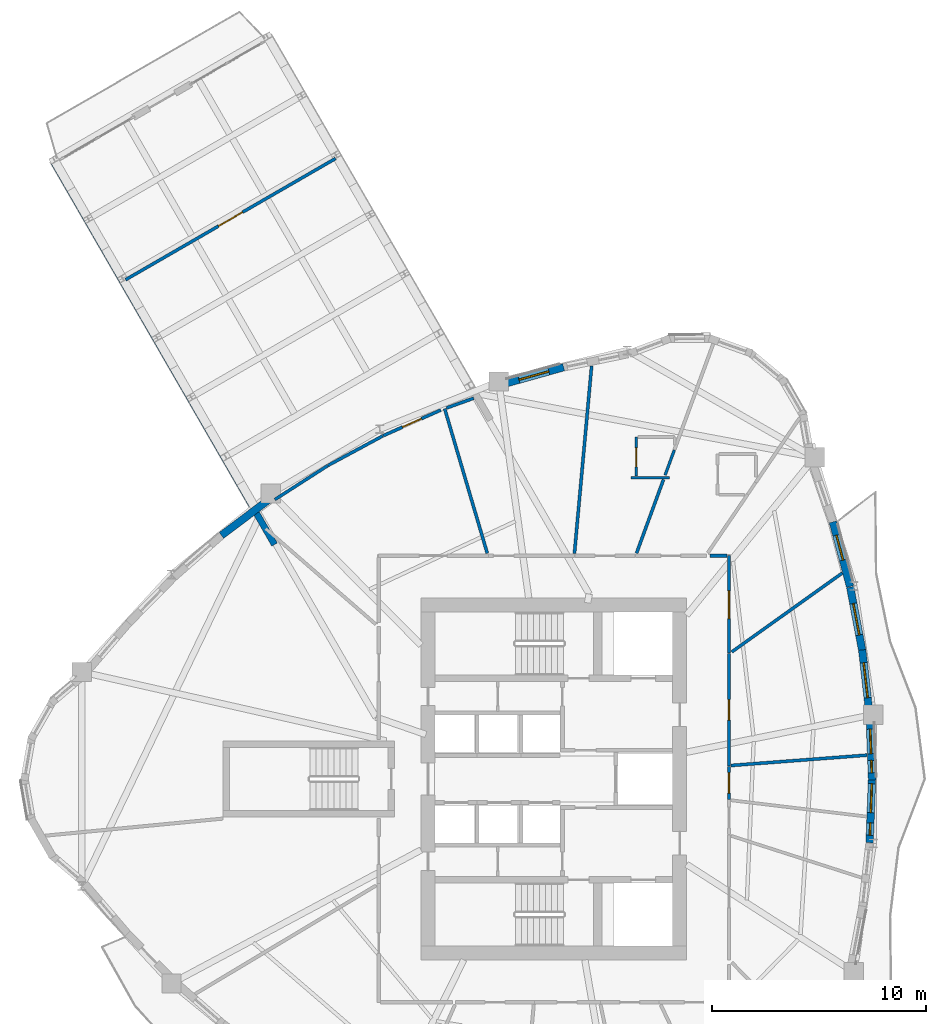
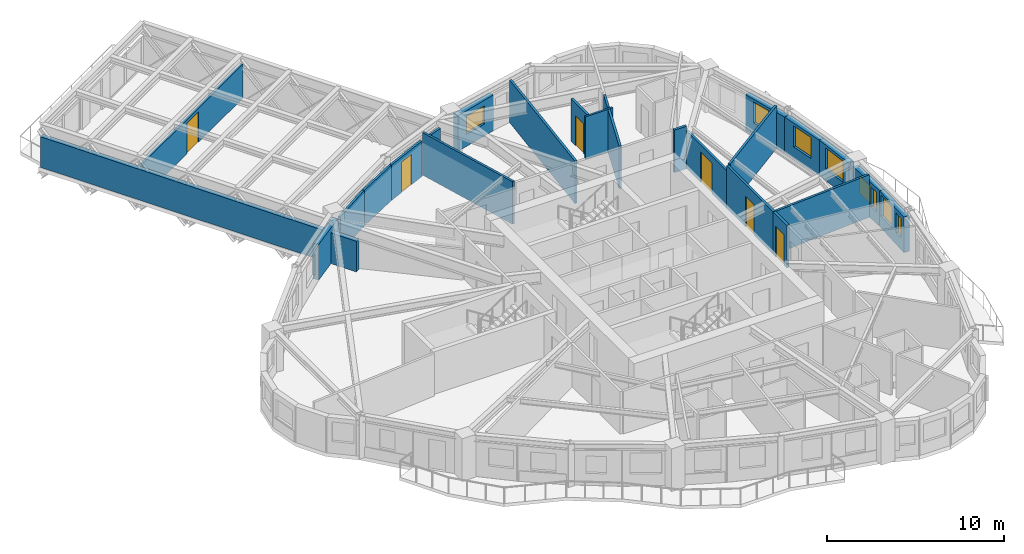
# One storey, part 9 of 14: 25 walls, 8 windows, 6 doors, 14 openings.
"""IFC4 building model written with IfcOpenShell, lengths in metres."""

from ifc_helpers import new_model, si_unit, direction, frame, frame_2d, origin, place, context, subcontext, project, spatial, rectangle, extrude, source, transform, mapped, material, layer, layer_set, type_object, element, fill, save


model = new_model("IFC4")

# Units and contexts
model_context = context("Model", 3, precision=1e-05, world=origin(), true_north=direction((0.0, 1.0)))
body_context = subcontext(model_context, "Body", "Model", "MODEL_VIEW")
ifc_project = project(units=[si_unit("LENGTHUNIT", "METRE"), si_unit("AREAUNIT", "SQUARE_METRE"), si_unit("VOLUMEUNIT", "CUBIC_METRE"), si_unit("PLANEANGLEUNIT", "RADIAN"), si_unit("MASSUNIT", "GRAM", prefix="KILO")], contexts=[model_context])

# Site, building, storey
site_placement = place(None, origin())
site = spatial("IfcSite", under=ifc_project, at=site_placement, CompositionType="ELEMENT")
building_placement = place(site_placement, origin())
building = spatial("IfcBuilding", under=site, at=building_placement, Name="Qafzar Sky-Pleat Residences", CompositionType="ELEMENT")
storey_placement = place(building_placement, frame((0.0, 0.0, 83.199951171875)))
storey = spatial("IfcBuildingStorey", under=building, at=storey_placement, Name="L24", CompositionType="ELEMENT", Elevation=83.199951171875)

# Wall, opening, door
ifc_material_1 = material(Name="Acoustic gypsum plasterboard partition", Category="gypsum")
ifc_layer_1 = layer(ifc_material_1, 0.159912109375)
ifc_layer_set_1 = layer_set([ifc_layer_1], Name="Acoustic gypsum plasterboard partition")
wall_type_1 = type_object("IfcWallType", Name="PART-COR-160", PredefinedType="PARTITIONING", material=ifc_layer_set_1)
wall_1_placement = place(storey_placement, frame((38.530029296875, 31.85595703125, 0.0), z_axis=(0.0, 0.0, 1.0), x_axis=(0.0, -1.0, 0.0)))
wall_1 = element("IfcWall", 1, at=wall_1_placement, inside=storey, type_object=wall_type_1, Name="L24 Partition Wall PART-L24-PW-005", PredefinedType="PARTITIONING", context=body_context, shape_type="SweptSolid", body=[
    extrude(rectangle(XDim=5.2490234375, YDim=0.159912109375, at=frame_2d((2.62451171875, 0.0))), origin(), (0.0, 0.0, 1.0), 2.93505859375),
])
opening_1_placement = place(wall_1_placement, frame((2.14599609375, 0.0, 0.0)))
opening_1 = element("IfcOpeningElement", 2, at=opening_1_placement, cuts=wall_1, Name="Opening ID-06", PredefinedType="OPENING", context=body_context, shape_type="SweptSolid", body=[
    extrude(rectangle(XDim=0.9599609375, YDim=2.10009765625, at=frame_2d((0.47998046875, 1.050048828125))), frame((0.0, 0.08984375, 0.0), z_axis=(0.0, -1.0, 0.0), x_axis=(1.0, 0.0, 0.0)), (0.0, 0.0, 1.0), 0.179931640625),
])
ifc_material_2 = material(Name="Timber-faced fire door", Category="wood")
door_type_1 = type_object("IfcDoorType", Name="DR-STD-960", OperationType="NOTDEFINED", PredefinedType="DOOR", material=ifc_material_2)
shared_shape_1 = source(origin(), body_context, "Body", "SweptSolid", [
    extrude(rectangle(XDim=0.9599609375, YDim=2.10009765625, at=frame_2d((0.47998046875, 1.050048828125))), frame((0.0, 0.02490234375, 0.0), z_axis=(0.0, -1.0, 0.0), x_axis=(1.0, 0.0, 0.0)), (0.0, 0.0, 1.0), 0.050048828125),
])
door_1_placement = place(opening_1_placement, origin())
door_1 = element("IfcDoor", 3, at=door_1_placement, inside=storey, type_object=door_type_1, Name="L24 Graduate Desk Workspace Door", OperationType="SINGLE_SWING_RIGHT", OverallHeight=2.10009765625, OverallWidth=0.9599609375, PredefinedType="DOOR", context=body_context, shape_type="MappedRepresentation", body=[
    mapped(shared_shape_1, transform((0.0, 0.0, 0.0), x_axis=(1.0, 0.0, 0.0), y_axis=(0.0, 1.0, 0.0), z_axis=(0.0, 0.0, 1.0), scale=1.0)),
])
fill(opening_1, door_1)

wall_2_placement = place(storey_placement, frame((38.530029296875, 36.429931640625, 0.0), z_axis=(0.0, 0.0, 1.0), x_axis=(0.0, -1.0, 0.0)))
wall_2 = element("IfcWall", 4, at=wall_2_placement, inside=storey, type_object=wall_type_1, Name="L24 Partition Wall PART-L24-PW-007", PredefinedType="PARTITIONING", context=body_context, shape_type="SweptSolid", body=[
    extrude(rectangle(XDim=4.558837890625, YDim=0.159912109375, at=frame_2d((2.279296875, 0.0))), origin(), (0.0, 0.0, 1.0), 2.572998046875),
])
opening_2_placement = place(wall_2_placement, frame((1.64599609375, 0.0, 0.0)))
opening_2 = element("IfcOpeningElement", 5, at=opening_2_placement, cuts=wall_2, Name="Opening ID-05", PredefinedType="OPENING", context=body_context, shape_type="SweptSolid", body=[
    extrude(rectangle(XDim=1.300048828125, YDim=2.10009765625, at=frame_2d((0.64990234375, 1.050048828125))), frame((0.0, 0.08984375, 0.0), z_axis=(0.0, -1.0, 0.0), x_axis=(1.0, 0.0, 0.0)), (0.0, 0.0, 1.0), 0.179931640625),
])
door_type_2 = type_object("IfcDoorType", Name="DR-LNG-1300", OperationType="DOUBLE_DOOR_SINGLE_SWING", PredefinedType="DOOR", material=ifc_material_2)
shared_shape_2 = source(origin(), body_context, "Body", "SweptSolid", [
    extrude(rectangle(XDim=1.300048828125, YDim=2.10009765625, at=frame_2d((0.64990234375, 1.050048828125))), frame((0.0, 0.02490234375, 0.0), z_axis=(0.0, -1.0, 0.0), x_axis=(1.0, 0.0, 0.0)), (0.0, 0.0, 1.0), 0.050048828125),
])
door_2_placement = place(opening_2_placement, origin())
door_2 = element("IfcDoor", 6, at=door_2_placement, inside=storey, type_object=door_type_2, Name="L24 Communal Kitchen Door", OperationType="DOUBLE_DOOR_SINGLE_SWING", OverallHeight=2.10009765625, OverallWidth=1.300048828125, PredefinedType="DOOR", context=body_context, shape_type="MappedRepresentation", body=[
    mapped(shared_shape_2, transform((0.0, 0.0, 0.0), x_axis=(1.0, 0.0, 0.0), y_axis=(0.0, 1.0, 0.0), z_axis=(0.0, 0.0, 1.0), scale=1.0)),
])
fill(opening_2, door_2)

wall_3_placement = place(storey_placement, frame((38.530029296875, 26.592041015625, 0.0), z_axis=(0.0, 0.0, 1.0), x_axis=(0.0, -1.0, 0.0)))
wall_3 = element("IfcWall", 7, at=wall_3_placement, inside=storey, type_object=wall_type_1, Name="L24 Partition Wall PART-L24-PW-024", PredefinedType="PARTITIONING", context=body_context, shape_type="SweptSolid", body=[
    extrude(rectangle(XDim=1.544921875, YDim=0.159912109375, at=frame_2d((0.7724609375, 0.0))), origin(), (0.0, 0.0, 1.0), 2.93505859375),
])
opening_3_placement = place(wall_3_placement, frame((0.29248046875, 0.0, 0.0)))
opening_3 = element("IfcOpeningElement", 8, at=opening_3_placement, cuts=wall_3, Name="Opening ID-06", PredefinedType="OPENING", context=body_context, shape_type="SweptSolid", body=[
    extrude(rectangle(XDim=0.9599609375, YDim=2.10009765625, at=frame_2d((0.47998046875, 1.050048828125))), frame((0.0, 0.08984375, 0.0), z_axis=(0.0, -1.0, 0.0), x_axis=(1.0, 0.0, 0.0)), (0.0, 0.0, 1.0), 0.179931640625),
])
door_3_placement = place(opening_3_placement, origin())
door_3 = element("IfcDoor", 9, at=door_3_placement, inside=storey, type_object=door_type_1, Name="L24 Scholar Study Room Door", OperationType="SINGLE_SWING_RIGHT", OverallHeight=2.10009765625, OverallWidth=0.9599609375, PredefinedType="DOOR", context=body_context, shape_type="MappedRepresentation", body=[
    mapped(shared_shape_1, transform((0.0, 0.0, 0.0), x_axis=(1.0, 0.0, 0.0), y_axis=(0.0, 1.0, 0.0), z_axis=(0.0, 0.0, 1.0), scale=1.0)),
])
fill(opening_3, door_3)

# Wall
wall_4_placement = place(storey_placement, frame((37.63720703125, 36.429931640625, 0.0), z_axis=(0.0, 0.0, 1.0), x_axis=(1.0, 0.0, 0.0)))
element("IfcWall", 10, at=wall_4_placement, inside=storey, type_object=wall_type_1, Name="L24 Partition Wall PART-L24-PW-068", PredefinedType="PARTITIONING", context=body_context, shape_type="SweptSolid", body=[
    extrude(rectangle(XDim=0.8046875, YDim=0.159912109375, at=frame_2d((0.40234375, 0.0))), origin(), (0.0, 0.0, 1.0), 2.93505859375),
])

# Wall, opening, door
ifc_layer_2 = layer(ifc_material_1, 0.14501953125)
ifc_layer_set_2 = layer_set([ifc_layer_2], Name="Acoustic gypsum plasterboard partition")
wall_type_2 = type_object("IfcWallType", Name="PART-UNIT-145", PredefinedType="PARTITIONING", material=ifc_layer_set_2)
wall_5_placement = place(storey_placement, frame((10.352783203125, 49.31201171875, 0.0), z_axis=(0.0, 0.0, 1.0), x_axis=(0.866036235619, 0.499981238243, 0.0)))
wall_5 = element("IfcWall", 11, at=wall_5_placement, inside=storey, type_object=wall_type_2, Name="L24 Partition Wall PART-L24-PW-001", PredefinedType="PARTITIONING", context=body_context, shape_type="SweptSolid", body=[
    extrude(rectangle(XDim=11.32421875, YDim=0.14501953125, at=frame_2d((5.662109375, 0.0))), origin(), (0.0, 0.0, 1.0), 2.35302734375),
])
opening_4_placement = place(wall_5_placement, frame((5.01220703125, 0.0, 0.0)))
opening_4 = element("IfcOpeningElement", 12, at=opening_4_placement, cuts=wall_5, Name="Opening ID-05", PredefinedType="OPENING", context=body_context, shape_type="SweptSolid", body=[
    extrude(rectangle(XDim=1.300048828125, YDim=2.10009765625, at=frame_2d((0.64990234375, 1.050048828125))), frame((0.0, 0.08251953125, 0.0), z_axis=(0.0, -1.0, 0.0), x_axis=(1.0, 0.0, 0.0)), (0.0, 0.0, 1.0), 0.1650390625),
])
door_4_placement = place(opening_4_placement, origin())
door_4 = element("IfcDoor", 13, at=door_4_placement, inside=storey, type_object=door_type_2, Name="L24 Panorama Sky Lounge Door", OperationType="DOUBLE_DOOR_SINGLE_SWING", OverallHeight=2.10009765625, OverallWidth=1.300048828125, PredefinedType="DOOR", context=body_context, shape_type="MappedRepresentation", body=[
    mapped(shared_shape_2, transform((0.0, 0.0, 0.0), x_axis=(1.0, 0.0, 0.0), y_axis=(0.0, 1.0, 0.0), z_axis=(0.0, 0.0, 1.0), scale=1.0)),
])
fill(opening_4, door_4)

wall_6_placement = place(storey_placement, frame((22.376953125, 42.02587890625, 0.0), z_axis=(0.0, 0.0, 1.0), x_axis=(0.913387960111, 0.407090204162, 0.0)))
wall_6 = element("IfcWall", 14, at=wall_6_placement, inside=storey, type_object=wall_type_2, Name="L24 Partition Wall PART-L24-PW-014", PredefinedType="PARTITIONING", context=body_context, shape_type="SweptSolid", body=[
    extrude(rectangle(XDim=2.95068359375, YDim=0.14501953125, at=frame_2d((1.475341796875, 0.0))), origin(), (0.0, 0.0, 1.0), 2.453125),
])
opening_5_placement = place(wall_6_placement, frame((0.9951171875, 0.0, 0.0)))
opening_5 = element("IfcOpeningElement", 15, at=opening_5_placement, cuts=wall_6, Name="Opening ID-06", PredefinedType="OPENING", context=body_context, shape_type="SweptSolid", body=[
    extrude(rectangle(XDim=0.9599609375, YDim=2.10009765625, at=frame_2d((0.47998046875, 1.050048828125))), frame((0.0, 0.08251953125, 0.0), z_axis=(0.0, -1.0, 0.0), x_axis=(1.0, 0.0, 0.0)), (0.0, 0.0, 1.0), 0.1650390625),
])
door_5_placement = place(opening_5_placement, origin())
door_5 = element("IfcDoor", 16, at=door_5_placement, inside=storey, type_object=door_type_1, Name="L24 Sky-Bar Reading Library Door", OperationType="SINGLE_SWING_RIGHT", OverallHeight=2.10009765625, OverallWidth=0.9599609375, PredefinedType="DOOR", context=body_context, shape_type="MappedRepresentation", body=[
    mapped(shared_shape_1, transform((0.0, 0.0, 0.0), x_axis=(1.0, 0.0, 0.0), y_axis=(0.0, 1.0, 0.0), z_axis=(0.0, 0.0, 1.0), scale=1.0)),
])
fill(opening_5, door_5)

# Walls
wall_7_placement = place(storey_placement, frame((31.313720703125, 36.524658203125, 0.0), z_axis=(0.0, 0.0, 1.0), x_axis=(0.091226381691, 0.995830179942, 0.0)))
element("IfcWall", 17, at=wall_7_placement, inside=storey, type_object=wall_type_2, Name="L24 Partition Wall PART-L24-PW-026", PredefinedType="PARTITIONING", context=body_context, shape_type="SweptSolid", body=[
    extrude(rectangle(XDim=8.796630859375, YDim=0.14501953125, at=frame_2d((4.3984375, 0.0))), origin(), (0.0, 0.0, 1.0), 2.93505859375),
])
wall_8_placement = place(storey_placement, frame((25.25390625, 43.2919921875, 0.0), z_axis=(0.0, 0.0, 1.0), x_axis=(0.282661880608, -0.959219610543, 0.0)))
element("IfcWall", 18, at=wall_8_placement, inside=storey, type_object=wall_type_2, Name="L24 Partition Wall PART-L24-PW-030", PredefinedType="PARTITIONING", context=body_context, shape_type="SweptSolid", body=[
    extrude(rectangle(XDim=7.041015625, YDim=0.14501953125, at=frame_2d((3.5205078125, 0.0))), origin(), (0.0, 0.0, 1.0), 2.93505859375),
])
wall_9_placement = place(storey_placement, frame((38.65869140625, 31.9296875, 0.0), z_axis=(0.0, 0.0, 1.0), x_axis=(0.813936175568, 0.580954302938, 0.0)))
element("IfcWall", 19, at=wall_9_placement, inside=storey, type_object=wall_type_2, Name="L24 Partition Wall PART-L24-PW-032", PredefinedType="PARTITIONING", context=body_context, shape_type="SweptSolid", body=[
    extrude(rectangle(XDim=6.345947265625, YDim=0.14501953125, at=frame_2d((3.1728515625, 0.0))), origin(), (0.0, 0.0, 1.0), 2.93505859375),
])
wall_10_placement = place(storey_placement, frame((38.62353515625, 26.629150390625, 0.0), z_axis=(0.0, 0.0, 1.0), x_axis=(0.997137880159, 0.075604549805, 0.0)))
element("IfcWall", 20, at=wall_10_placement, inside=storey, type_object=wall_type_2, Name="L24 Partition Wall PART-L24-PW-035", PredefinedType="PARTITIONING", context=body_context, shape_type="SweptSolid", body=[
    extrude(rectangle(XDim=6.377685546875, YDim=0.14501953125, at=frame_2d((3.18896484375, 0.0))), origin(), (0.0, 0.0, 1.0), 2.93505859375),
])
wall_11_placement = place(storey_placement, frame((34.213134765625, 36.54248046875, 0.0), z_axis=(0.0, 0.0, 1.0), x_axis=(0.343978558693, 0.93897750301, 0.0)))
element("IfcWall", 21, at=wall_11_placement, inside=storey, type_object=wall_type_2, Name="L24 Partition Wall PART-L24-PW-041", PredefinedType="PARTITIONING", context=body_context, shape_type="SweptSolid", body=[
    extrude(rectangle(XDim=3.663818359375, YDim=0.14501953125, at=frame_2d((1.83203125, 0.0))), origin(), (0.0, 0.0, 1.0), 2.93505859375),
])
wall_12_placement = place(storey_placement, frame((17.325927734375, 39.048095703125, 0.0), z_axis=(0.0, 0.0, 1.0), x_axis=(0.841527071554, 0.540214945963, 0.0)))
element("IfcWall", 22, at=wall_12_placement, inside=storey, type_object=wall_type_2, Name="L24 Partition Wall PART-L24-PW-047", PredefinedType="PARTITIONING", context=body_context, shape_type="SweptSolid", body=[
    extrude(rectangle(XDim=2.933837890625, YDim=0.14501953125, at=frame_2d((1.466796875, 0.0))), origin(), (0.0, 0.0, 1.0), 2.453125),
])
wall_13_placement = place(storey_placement, frame((19.80810546875, 40.64013671875, 0.0), z_axis=(0.0, 0.0, 1.0), x_axis=(0.880106382364, 0.474776532404, 0.0)))
element("IfcWall", 23, at=wall_13_placement, inside=storey, type_object=wall_type_2, Name="L24 Partition Wall PART-L24-PW-048", PredefinedType="PARTITIONING", context=body_context, shape_type="SweptSolid", body=[
    extrude(rectangle(XDim=2.90380859375, YDim=0.14501953125, at=frame_2d((1.451904296875, 0.0))), origin(), (0.0, 0.0, 1.0), 2.453125),
])
wall_14_placement = place(storey_placement, frame((25.333984375, 43.32080078125, 0.0), z_axis=(0.0, 0.0, 1.0), x_axis=(0.940956330278, 0.3385279671, 0.0)))
element("IfcWall", 24, at=wall_14_placement, inside=storey, type_object=wall_type_2, Name="L24 Partition Wall PART-L24-PW-064", PredefinedType="PARTITIONING", context=body_context, shape_type="SweptSolid", body=[
    extrude(rectangle(XDim=1.3544921875, YDim=0.14501953125, at=frame_2d((0.67724609375, 0.0))), origin(), (0.0, 0.0, 1.0), 2.453125),
])

# Wall, opening, door
ifc_material_3 = material(Name="Moisture-resistant gypsum partition", Category="gypsum")
ifc_layer_3 = layer(ifc_material_3, 0.1298828125)
ifc_layer_set_3 = layer_set([ifc_layer_3], Name="Moisture-resistant gypsum partition")
wall_type_3 = type_object("IfcWallType", Name="PART-WET-130", PredefinedType="PARTITIONING", material=ifc_layer_set_3)
wall_15_placement = place(storey_placement, frame((34.197998046875, 41.965087890625, 0.0), z_axis=(0.0, 0.0, 1.0), x_axis=(0.0, -1.0, 0.0)))
wall_15 = element("IfcWall", 25, at=wall_15_placement, inside=storey, type_object=wall_type_3, Name="L24 Partition Wall PART-L24-PW-017", PredefinedType="PARTITIONING", context=body_context, shape_type="SweptSolid", body=[
    extrude(rectangle(XDim=1.8271484375, YDim=0.1298828125, at=frame_2d((0.91357421875, 0.0))), origin(), (0.0, 0.0, 1.0), 2.93505859375),
])
opening_6_placement = place(wall_15_placement, frame((0.510009765625, 0.0, 0.0)))
opening_6 = element("IfcOpeningElement", 26, at=opening_6_placement, cuts=wall_15, Name="Opening ID-07", PredefinedType="OPENING", context=body_context, shape_type="SweptSolid", body=[
    extrude(rectangle(XDim=0.8798828125, YDim=2.050048828125, at=frame_2d((0.43994140625, 1.02490234375))), frame((0.0, 0.074951171875, 0.0), z_axis=(0.0, -1.0, 0.0), x_axis=(1.0, 0.0, 0.0)), (0.0, 0.0, 1.0), 0.14990234375),
])
door_type_3 = type_object("IfcDoorType", Name="DR-WET-880", OperationType="NOTDEFINED", PredefinedType="DOOR", material=ifc_material_2)
shared_shape_3 = source(origin(), body_context, "Body", "SweptSolid", [
    extrude(rectangle(XDim=0.8798828125, YDim=2.050048828125, at=frame_2d((0.43994140625, 1.02490234375))), frame((0.0, 0.02490234375, 0.0), z_axis=(0.0, -1.0, 0.0), x_axis=(1.0, 0.0, 0.0)), (0.0, 0.0, 1.0), 0.050048828125),
])
door_6_placement = place(opening_6_placement, origin())
door_6 = element("IfcDoor", 27, at=door_6_placement, inside=storey, type_object=door_type_3, Name="L24 En-suite Bathroom 6 Door", OperationType="SINGLE_SWING_LEFT", OverallHeight=2.050048828125, OverallWidth=0.8798828125, PredefinedType="DOOR", context=body_context, shape_type="MappedRepresentation", body=[
    mapped(shared_shape_3, transform((0.0, 0.0, 0.0), x_axis=(1.0, 0.0, 0.0), y_axis=(0.0, 1.0, 0.0), z_axis=(0.0, 0.0, 1.0), scale=1.0)),
])
fill(opening_6, door_6)

# Walls
wall_16_placement = place(storey_placement, frame((35.549072265625, 40.18896484375, 0.0), z_axis=(0.0, 0.0, 1.0), x_axis=(0.344070409158, 0.938943850048, 0.0)))
element("IfcWall", 28, at=wall_16_placement, inside=storey, type_object=wall_type_3, Name="L24 Partition Wall PART-L24-PW-063", PredefinedType="PARTITIONING", context=body_context, shape_type="SweptSolid", body=[
    extrude(rectangle(XDim=1.24609375, YDim=0.1298828125, at=frame_2d((0.623046875, 0.0))), origin(), (0.0, 0.0, 1.0), 2.93505859375),
])
wall_17_placement = place(storey_placement, frame((33.9580078125, 40.06494140625, 0.0), z_axis=(0.0, 0.0, 1.0), x_axis=(1.0, 0.0, 0.0)))
element("IfcWall", 29, at=wall_17_placement, inside=storey, type_object=wall_type_3, Name="L24 Partition Wall PART-L24-PW-065", PredefinedType="PARTITIONING", context=body_context, shape_type="SweptSolid", body=[
    extrude(rectangle(XDim=1.785888671875, YDim=0.1298828125, at=frame_2d((0.89306640625, 0.0))), origin(), (0.0, 0.0, 1.0), 2.93505859375),
])
ifc_material_4 = material(Name="Precast concrete C40/50 with honed Riyadh limestone", Category="concrete")
ifc_layer_4 = layer(ifc_material_4, 0.300048828125)
ifc_layer_set_4 = layer_set([ifc_layer_4], Name="Precast concrete C40/50 with honed Riyadh limestone")
wall_type_4 = type_object("IfcWallType", Name="WALL-EXT-300", PredefinedType="SOLIDWALL", material=ifc_layer_set_4)
wall_18_placement = place(storey_placement, frame((17.309814453125, 36.9462890625, 0.0), z_axis=(0.0, 0.0, 1.0), x_axis=(-0.499999403898, 0.866025747944, 0.0)))
element("IfcWall", 30, at=wall_18_placement, inside=storey, type_object=wall_type_4, Name="L24 SB-2 Side Spandrel Wall L", PredefinedType="SOLIDWALL", context=body_context, shape_type="SweptSolid", body=[
    extrude(rectangle(XDim=20.60302734375, YDim=0.300048828125, at=frame_2d((10.301513671875, 0.0))), origin(), (0.0, 0.0, 1.0), 2.114990234375),
])

# Wall, openings, windows
ifc_layer_5 = layer(ifc_material_4, 0.35009765625)
ifc_layer_set_5 = layer_set([ifc_layer_5], Name="Precast concrete C40/50 with honed Riyadh limestone")
wall_type_5 = type_object("IfcWallType", Name="WALL-EXT-350", PredefinedType="SOLIDWALL", material=ifc_layer_set_5)
wall_19_placement = place(storey_placement, frame((45.097900390625, 23.022705078125, 0.0), z_axis=(0.0, 0.0, 1.0), x_axis=(0.037943250197, 0.999279895607, 0.0)))
wall_19 = element("IfcWall", 31, at=wall_19_placement, inside=storey, type_object=wall_type_5, Name="L24 Limestone Facade Wall 27", PredefinedType="SOLIDWALL", context=body_context, shape_type="SweptSolid", body=[
    extrude(rectangle(XDim=3.024169921875, YDim=0.35009765625, at=frame_2d((1.51220703125, 0.0))), origin(), (0.0, 0.0, 1.0), 2.465087890625),
])
opening_7_placement = place(wall_19_placement, frame((0.346435546875, 0.0, 0.820068359375)))
opening_7 = element("IfcOpeningElement", 32, at=opening_7_placement, cuts=wall_19, Name="Opening WN-17", PredefinedType="OPENING", context=body_context, shape_type="SweptSolid", body=[
    extrude(rectangle(XDim=0.580078125, YDim=1.35009765625, at=frame_2d((0.2900390625, 0.675048828125))), frame((0.0, 0.18505859375, 0.0), z_axis=(0.0, -1.0, 0.0), x_axis=(1.0, 0.0, 0.0)), (0.0, 0.0, 1.0), 0.3701171875),
])
opening_8_placement = place(wall_19_placement, frame((1.403564453125, 0.0, 0.820068359375)))
opening_8 = element("IfcOpeningElement", 33, at=opening_8_placement, cuts=wall_19, Name="Opening WN-04", PredefinedType="OPENING", context=body_context, shape_type="SweptSolid", body=[
    extrude(rectangle(XDim=1.35009765625, YDim=1.449951171875, at=frame_2d((0.675048828125, 0.72509765625))), frame((0.0, 0.18505859375, 0.0), z_axis=(0.0, -1.0, 0.0), x_axis=(1.0, 0.0, 0.0)), (0.0, 0.0, 1.0), 0.3701171875),
])
ifc_material_5 = material(Name="Solar-control low-E glass in bronze aluminium frame", Category="glass")
window_type_1 = type_object("IfcWindowType", Name="WIN-17", PartitioningType="SINGLE_PANEL", PredefinedType="WINDOW", material=ifc_material_5)
shared_shape_4 = source(origin(), body_context, "Body", "SweptSolid", [
    extrude(rectangle(XDim=0.580078125, YDim=1.35009765625, at=frame_2d((0.2900390625, 0.675048828125))), frame((0.0, 0.030029296875, 0.0), z_axis=(0.0, -1.0, 0.0), x_axis=(1.0, 0.0, 0.0)), (0.0, 0.0, 1.0), 0.06005859375),
])
window_1_placement = place(opening_7_placement, origin())
window_1 = element("IfcWindow", 34, at=window_1_placement, inside=storey, type_object=window_type_1, Name="L24 Punched Facade Window 27", OverallHeight=1.35009765625, OverallWidth=0.580078125, PartitioningType="SINGLE_PANEL", PredefinedType="WINDOW", context=body_context, shape_type="MappedRepresentation", body=[
    mapped(shared_shape_4, transform((0.0, 0.0, 0.0), x_axis=(1.0, 0.0, 0.0), y_axis=(0.0, 1.0, 0.0), z_axis=(0.0, 0.0, 1.0), scale=1.0)),
])
fill(opening_7, window_1)
window_type_2 = type_object("IfcWindowType", Name="WIN-04", PartitioningType="SINGLE_PANEL", PredefinedType="WINDOW", material=ifc_material_5)
shared_shape_5 = source(origin(), body_context, "Body", "SweptSolid", [
    extrude(rectangle(XDim=1.35009765625, YDim=1.449951171875, at=frame_2d((0.675048828125, 0.72509765625))), frame((0.0, 0.030029296875, 0.0), z_axis=(0.0, -1.0, 0.0), x_axis=(1.0, 0.0, 0.0)), (0.0, 0.0, 1.0), 0.06005859375),
])
window_2_placement = place(opening_8_placement, origin())
window_2 = element("IfcWindow", 35, at=window_2_placement, inside=storey, type_object=window_type_2, Name="L24 Punched Facade Window 27-2", OverallHeight=1.449951171875, OverallWidth=1.35009765625, PartitioningType="SINGLE_PANEL", PredefinedType="WINDOW", context=body_context, shape_type="MappedRepresentation", body=[
    mapped(shared_shape_5, transform((0.0, 0.0, 0.0), x_axis=(1.0, 0.0, 0.0), y_axis=(0.0, 1.0, 0.0), z_axis=(0.0, 0.0, 1.0), scale=1.0)),
])
fill(opening_8, window_2)

wall_20_placement = place(storey_placement, frame((45.212646484375, 25.955322265625, 0.0), z_axis=(0.0, 0.0, 1.0), x_axis=(-0.037934195255, 0.999280239388, 0.0)))
wall_20 = element("IfcWall", 36, at=wall_20_placement, inside=storey, type_object=wall_type_5, Name="L24 Limestone Facade Wall 28", PredefinedType="SOLIDWALL", context=body_context, shape_type="SweptSolid", body=[
    extrude(rectangle(XDim=2.81884765625, YDim=0.35009765625, at=frame_2d((1.409423828125, 0.0))), origin(), (0.0, 0.0, 1.0), 2.465087890625),
])
opening_9_placement = place(wall_20_placement, frame((0.332275390625, 0.0, 0.820068359375)))
opening_9 = element("IfcOpeningElement", 37, at=opening_9_placement, cuts=wall_20, Name="Opening WN-17", PredefinedType="OPENING", context=body_context, shape_type="SweptSolid", body=[
    extrude(rectangle(XDim=0.580078125, YDim=1.35009765625, at=frame_2d((0.2900390625, 0.675048828125))), frame((0.0, 0.18505859375, 0.0), z_axis=(0.0, -1.0, 0.0), x_axis=(1.0, 0.0, 0.0)), (0.0, 0.0, 1.0), 0.3701171875),
])
opening_10_placement = place(wall_20_placement, frame((1.221923828125, 0.0, 0.820068359375)))
opening_10 = element("IfcOpeningElement", 38, at=opening_10_placement, cuts=wall_20, Name="Opening WN-16", PredefinedType="OPENING", context=body_context, shape_type="SweptSolid", body=[
    extrude(rectangle(XDim=1.14990234375, YDim=1.199951171875, at=frame_2d((0.574951171875, 0.60009765625))), frame((0.0, 0.18505859375, 0.0), z_axis=(0.0, -1.0, 0.0), x_axis=(1.0, 0.0, 0.0)), (0.0, 0.0, 1.0), 0.3701171875),
])
window_3_placement = place(opening_9_placement, origin())
window_3 = element("IfcWindow", 39, at=window_3_placement, inside=storey, type_object=window_type_1, Name="L24 Punched Facade Window 28", OverallHeight=1.35009765625, OverallWidth=0.580078125, PartitioningType="SINGLE_PANEL", PredefinedType="WINDOW", context=body_context, shape_type="MappedRepresentation", body=[
    mapped(shared_shape_4, transform((0.0, 0.0, 0.0), x_axis=(1.0, 0.0, 0.0), y_axis=(0.0, 1.0, 0.0), z_axis=(0.0, 0.0, 1.0), scale=1.0)),
])
fill(opening_9, window_3)
window_type_3 = type_object("IfcWindowType", Name="WIN-16", PartitioningType="SINGLE_PANEL", PredefinedType="WINDOW", material=ifc_material_5)
shared_shape_6 = source(origin(), body_context, "Body", "SweptSolid", [
    extrude(rectangle(XDim=1.14990234375, YDim=1.199951171875, at=frame_2d((0.574951171875, 0.60009765625))), frame((0.0, 0.030029296875, 0.0), z_axis=(0.0, -1.0, 0.0), x_axis=(1.0, 0.0, 0.0)), (0.0, 0.0, 1.0), 0.06005859375),
])
window_4_placement = place(opening_10_placement, origin())
window_4 = element("IfcWindow", 40, at=window_4_placement, inside=storey, type_object=window_type_3, Name="L24 Punched Facade Window 28-2", OverallHeight=1.199951171875, OverallWidth=1.14990234375, PartitioningType="SINGLE_PANEL", PredefinedType="WINDOW", context=body_context, shape_type="MappedRepresentation", body=[
    mapped(shared_shape_6, transform((0.0, 0.0, 0.0), x_axis=(1.0, 0.0, 0.0), y_axis=(0.0, 1.0, 0.0), z_axis=(0.0, 0.0, 1.0), scale=1.0)),
])
fill(opening_10, window_4)

# Wall, opening, window
wall_21_placement = place(storey_placement, frame((45.072509765625, 29.20751953125, 0.0), z_axis=(0.0, 0.0, 1.0), x_axis=(-0.113284386302, 0.993562603876, 0.0)))
wall_21 = element("IfcWall", 41, at=wall_21_placement, inside=storey, type_object=wall_type_5, Name="L24 Limestone Facade Wall 29", PredefinedType="SOLIDWALL", context=body_context, shape_type="SweptSolid", body=[
    extrude(rectangle(XDim=2.836181640625, YDim=0.35009765625, at=frame_2d((1.41796875, 0.0))), origin(), (0.0, 0.0, 1.0), 2.465087890625),
])
opening_11_placement = place(wall_21_placement, frame((0.588134765625, 0.0, 0.820068359375)))
opening_11 = element("IfcOpeningElement", 42, at=opening_11_placement, cuts=wall_21, Name="Opening WN-02", PredefinedType="OPENING", context=body_context, shape_type="SweptSolid", body=[
    extrude(rectangle(XDim=1.64990234375, YDim=1.449951171875, at=frame_2d((0.824951171875, 0.72509765625))), frame((0.0, 0.18505859375, 0.0), z_axis=(0.0, -1.0, 0.0), x_axis=(1.0, 0.0, 0.0)), (0.0, 0.0, 1.0), 0.3701171875),
])
window_type_4 = type_object("IfcWindowType", Name="WIN-02", PartitioningType="DOUBLE_PANEL_VERTICAL", PredefinedType="WINDOW", material=ifc_material_5)
shared_shape_7 = source(origin(), body_context, "Body", "SweptSolid", [
    extrude(rectangle(XDim=1.64990234375, YDim=1.449951171875, at=frame_2d((0.824951171875, 0.72509765625))), frame((0.0, 0.030029296875, 0.0), z_axis=(0.0, -1.0, 0.0), x_axis=(1.0, 0.0, 0.0)), (0.0, 0.0, 1.0), 0.06005859375),
])
window_5_placement = place(opening_11_placement, origin())
window_5 = element("IfcWindow", 43, at=window_5_placement, inside=storey, type_object=window_type_4, Name="L24 Punched Facade Window 29", OverallHeight=1.449951171875, OverallWidth=1.64990234375, PartitioningType="SINGLE_PANEL", PredefinedType="WINDOW", context=body_context, shape_type="MappedRepresentation", body=[
    mapped(shared_shape_7, transform((0.0, 0.0, 0.0), x_axis=(1.0, 0.0, 0.0), y_axis=(0.0, 1.0, 0.0), z_axis=(0.0, 0.0, 1.0), scale=1.0)),
])
fill(opening_11, window_5)

wall_22_placement = place(storey_placement, frame((44.7646484375, 31.9375, 0.0), z_axis=(0.0, 0.0, 1.0), x_axis=(-0.186626934631, 0.982430856229, 0.0)))
wall_22 = element("IfcWall", 44, at=wall_22_placement, inside=storey, type_object=wall_type_5, Name="L24 Limestone Facade Wall 30", PredefinedType="SOLIDWALL", context=body_context, shape_type="SweptSolid", body=[
    extrude(rectangle(XDim=3.075439453125, YDim=0.35009765625, at=frame_2d((1.53759765625, 0.0))), origin(), (0.0, 0.0, 1.0), 2.465087890625),
])
opening_12_placement = place(wall_22_placement, frame((0.7978515625, 0.0, 0.820068359375)))
opening_12 = element("IfcOpeningElement", 45, at=opening_12_placement, cuts=wall_22, Name="Opening WN-03", PredefinedType="OPENING", context=body_context, shape_type="SweptSolid", body=[
    extrude(rectangle(XDim=1.5, YDim=1.449951171875, at=frame_2d((0.75, 0.72509765625))), frame((0.0, 0.18505859375, 0.0), z_axis=(0.0, -1.0, 0.0), x_axis=(1.0, 0.0, 0.0)), (0.0, 0.0, 1.0), 0.3701171875),
])
window_type_5 = type_object("IfcWindowType", Name="WIN-03", PartitioningType="DOUBLE_PANEL_VERTICAL", PredefinedType="WINDOW", material=ifc_material_5)
shared_shape_8 = source(origin(), body_context, "Body", "SweptSolid", [
    extrude(rectangle(XDim=1.5, YDim=1.449951171875, at=frame_2d((0.75, 0.72509765625))), frame((0.0, 0.030029296875, 0.0), z_axis=(0.0, -1.0, 0.0), x_axis=(1.0, 0.0, 0.0)), (0.0, 0.0, 1.0), 0.06005859375),
])
window_6_placement = place(opening_12_placement, origin())
window_6 = element("IfcWindow", 46, at=window_6_placement, inside=storey, type_object=window_type_5, Name="L24 Punched Facade Window 30", OverallHeight=1.449951171875, OverallWidth=1.5, PartitioningType="SINGLE_PANEL", PredefinedType="WINDOW", context=body_context, shape_type="MappedRepresentation", body=[
    mapped(shared_shape_8, transform((0.0, 0.0, 0.0), x_axis=(1.0, 0.0, 0.0), y_axis=(0.0, 1.0, 0.0), z_axis=(0.0, 0.0, 1.0), scale=1.0)),
])
fill(opening_12, window_6)

wall_23_placement = place(storey_placement, frame((44.1845703125, 34.985595703125, 0.0), z_axis=(0.0, 0.0, 1.0), x_axis=(-0.257079342779, 0.966390299784, 0.0)))
wall_23 = element("IfcWall", 47, at=wall_23_placement, inside=storey, type_object=wall_type_5, Name="L24 Limestone Facade Wall 31", PredefinedType="SOLIDWALL", context=body_context, shape_type="SweptSolid", body=[
    extrude(rectangle(XDim=3.126220703125, YDim=0.35009765625, at=frame_2d((1.56298828125, 0.0))), origin(), (0.0, 0.0, 1.0), 2.465087890625),
])
opening_13_placement = place(wall_23_placement, frame((1.2783203125, 0.0, 0.820068359375)))
opening_13 = element("IfcOpeningElement", 48, at=opening_13_placement, cuts=wall_23, Name="Opening WN-05", PredefinedType="OPENING", context=body_context, shape_type="SweptSolid", body=[
    extrude(rectangle(XDim=1.199951171875, YDim=1.449951171875, at=frame_2d((0.60009765625, 0.72509765625))), frame((0.0, 0.18505859375, 0.0), z_axis=(0.0, -1.0, 0.0), x_axis=(1.0, 0.0, 0.0)), (0.0, 0.0, 1.0), 0.3701171875),
])
window_type_6 = type_object("IfcWindowType", Name="WIN-05", PartitioningType="SINGLE_PANEL", PredefinedType="WINDOW", material=ifc_material_5)
shared_shape_9 = source(origin(), body_context, "Body", "SweptSolid", [
    extrude(rectangle(XDim=1.199951171875, YDim=1.449951171875, at=frame_2d((0.60009765625, 0.72509765625))), frame((0.0, 0.030029296875, 0.0), z_axis=(0.0, -1.0, 0.0), x_axis=(1.0, 0.0, 0.0)), (0.0, 0.0, 1.0), 0.06005859375),
])
window_7_placement = place(opening_13_placement, origin())
window_7 = element("IfcWindow", 49, at=window_7_placement, inside=storey, type_object=window_type_6, Name="L24 Punched Facade Window 31-2", OverallHeight=1.449951171875, OverallWidth=1.199951171875, PartitioningType="SINGLE_PANEL", PredefinedType="WINDOW", context=body_context, shape_type="MappedRepresentation", body=[
    mapped(shared_shape_9, transform((0.0, 0.0, 0.0), x_axis=(1.0, 0.0, 0.0), y_axis=(0.0, 1.0, 0.0), z_axis=(0.0, 0.0, 1.0), scale=1.0)),
])
fill(opening_13, window_7)

wall_24_placement = place(storey_placement, frame((30.809326171875, 45.2265625, 0.0), z_axis=(0.0, 0.0, 1.0), x_axis=(-0.963041637143, -0.269352566591, 0.0)))
wall_24 = element("IfcWall", 50, at=wall_24_placement, inside=storey, type_object=wall_type_5, Name="L24 Limestone Facade Wall 40", PredefinedType="SOLIDWALL", context=body_context, shape_type="SweptSolid", body=[
    extrude(rectangle(XDim=2.873291015625, YDim=0.35009765625, at=frame_2d((1.4365234375, 0.0))), origin(), (0.0, 0.0, 1.0), 2.465087890625),
])
opening_14_placement = place(wall_24_placement, frame((0.716552734375, 0.0, 0.820068359375)))
opening_14 = element("IfcOpeningElement", 51, at=opening_14_placement, cuts=wall_24, Name="Opening WN-15", PredefinedType="OPENING", context=body_context, shape_type="SweptSolid", body=[
    extrude(rectangle(XDim=1.449951171875, YDim=1.25, at=frame_2d((0.72509765625, 0.625))), frame((0.0, 0.18505859375, 0.0), z_axis=(0.0, -1.0, 0.0), x_axis=(1.0, 0.0, 0.0)), (0.0, 0.0, 1.0), 0.3701171875),
])
window_type_7 = type_object("IfcWindowType", Name="WIN-15", PartitioningType="SINGLE_PANEL", PredefinedType="WINDOW", material=ifc_material_5)
shared_shape_10 = source(origin(), body_context, "Body", "SweptSolid", [
    extrude(rectangle(XDim=1.449951171875, YDim=1.25, at=frame_2d((0.72509765625, 0.625))), frame((0.0, 0.030029296875, 0.0), z_axis=(0.0, -1.0, 0.0), x_axis=(1.0, 0.0, 0.0)), (0.0, 0.0, 1.0), 0.06005859375),
])
window_8_placement = place(opening_14_placement, origin())
window_8 = element("IfcWindow", 52, at=window_8_placement, inside=storey, type_object=window_type_7, Name="L24 Punched Facade Window 40", OverallHeight=1.25, OverallWidth=1.449951171875, PartitioningType="SINGLE_PANEL", PredefinedType="WINDOW", context=body_context, shape_type="MappedRepresentation", body=[
    mapped(shared_shape_10, transform((0.0, 0.0, 0.0), x_axis=(1.0, 0.0, 0.0), y_axis=(0.0, 1.0, 0.0), z_axis=(0.0, 0.0, 1.0), scale=1.0)),
])
fill(opening_14, window_8)

# Wall
wall_25_placement = place(storey_placement, frame((17.056884765625, 39.05224609375, 0.0), z_axis=(0.0, 0.0, 1.0), x_axis=(-0.798379678642, -0.602154372841, 0.0)))
element("IfcWall", 53, at=wall_25_placement, inside=storey, type_object=wall_type_5, Name="L24 Limestone Facade Wall 45", PredefinedType="SOLIDWALL", context=body_context, shape_type="SweptSolid", body=[
    extrude(rectangle(XDim=2.78955078125, YDim=0.35009765625, at=frame_2d((1.394775390625, 0.0))), origin(), (0.0, 0.0, 1.0), 2.465087890625),
])

save(model, "model.ifc")
